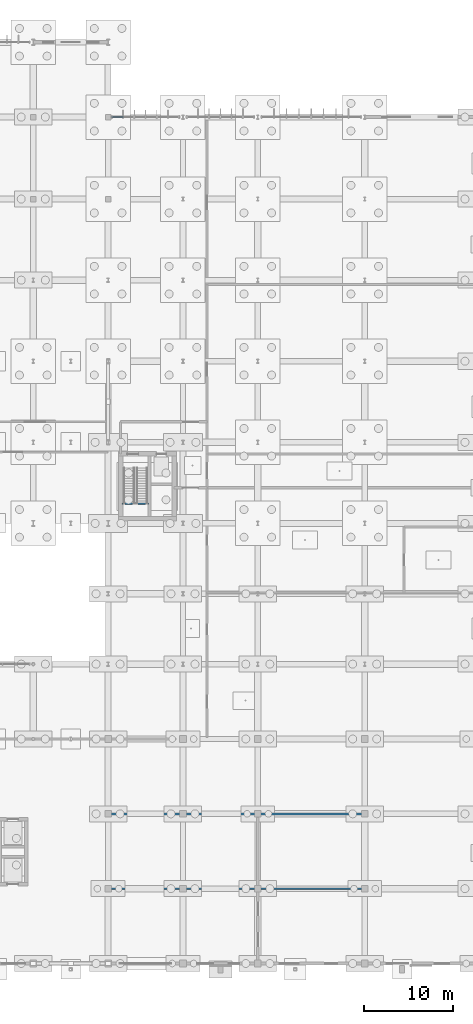
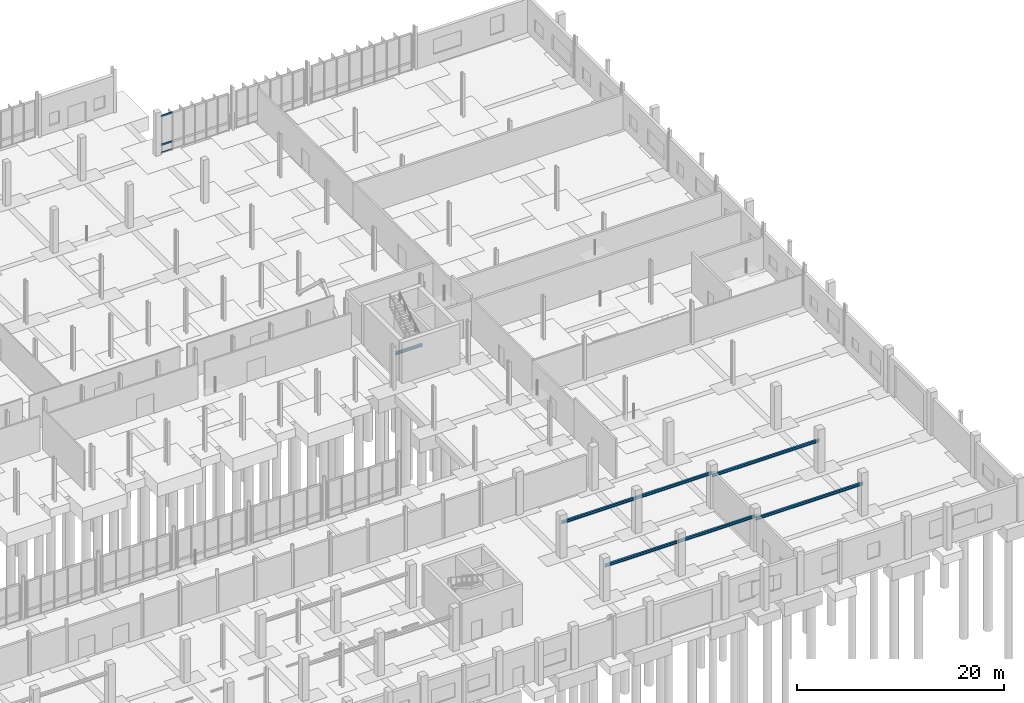
# One storey, part 61 of 119: 7 beams, 3 members, 1 element without a shape of its own.
"""IFC4 building model written with IfcOpenShell, lengths in metres."""

from ifc_helpers import new_model, si_unit, derived_unit, direction, frame, origin, origin_2d, place, context, subcontext, project, spatial, hollow_rectangle, i_section, extrude, material, layer, layer_set, material_profile, profile_set, type_object, element, aggregate, save


model = new_model("IFC4")

# Units and contexts
model_context = context("Model", 3, precision=1e-05, world=origin(), true_north=direction((0.0, 1.0)))
body_context = subcontext(model_context, "Body", "Model", "MODEL_VIEW")
ifc_project = project(units=[si_unit("LENGTHUNIT", "METRE"), si_unit("AREAUNIT", "SQUARE_METRE"), si_unit("VOLUMEUNIT", "CUBIC_METRE"), si_unit("PLANEANGLEUNIT", "RADIAN"), si_unit("MASSUNIT", "GRAM", prefix="KILO"), derived_unit("THERMALTRANSMITTANCEUNIT", [(si_unit("MASSUNIT", "GRAM", prefix="KILO"), 1), (si_unit("TIMEUNIT", "SECOND"), -3), (si_unit("THERMODYNAMICTEMPERATUREUNIT", "KELVIN"), -1)])], contexts=[model_context])

# Site, building, storey
site_placement = place(None, origin())
site = spatial("IfcSite", under=ifc_project, at=site_placement, CompositionType="ELEMENT")
building_placement = place(site_placement, origin())
building = spatial("IfcBuilding", under=site, at=building_placement, Name="Makaiwela Harbour Ferry Terminal", CompositionType="ELEMENT")
storey_placement = place(building_placement, origin())
storey = spatial("IfcBuildingStorey", under=building, at=storey_placement, Name="L00", CompositionType="ELEMENT", Elevation=0.0)

# Curtain wall, members
ifc_material_1 = material(Name="Marine anodised aluminium 6063-T6", Category="aluminium")
ifc_layer = layer(ifc_material_1, 0.199951171875)
ifc_layer_set = layer_set([ifc_layer], Name="Marine anodised aluminium 6063-T6")
curtain_wall_type = type_object("IfcCurtainWallType", Name="ENV-CW-10", PredefinedType="USERDEFINED", material=ifc_layer_set)
curtain_wall_placement = place(storey_placement, origin())
curtain_wall = element("IfcCurtainWall", 1, at=curtain_wall_placement, inside=storey, type_object=curtain_wall_type, Name="Unitised Curtain Wall CWA-120", ObjectType="UNITIZED CURTAIN WALL", PredefinedType="USERDEFINED")
ifc_material_profile_1 = material_profile(ifc_material_1, hollow_rectangle(XDim=0.0849609375, YDim=0.199951171875, WallThickness=0.0048828125, at=origin_2d()), Name="CWT-200X85")
ifc_profile_set_1 = profile_set([ifc_material_profile_1], Name="Marine anodised aluminium 6063-T6")
member_type = type_object("IfcMemberType", Name="CW-TRN-200", PredefinedType="USERDEFINED", material=ifc_profile_set_1)
member_1_placement = place(storey_placement, frame((139.02001953125, 95.0, 0.0), z_axis=(1.0, 0.0, 0.0), x_axis=(0.0, 1.0, 0.0)))
member_1 = element("IfcMember", 2, at=member_1_placement, type_object=member_type, Name="Curtain Wall Transom CWA-120-1-1", ObjectType="TRANSOM", PredefinedType="USERDEFINED", context=body_context, shape_type="SweptSolid", body=[
    extrude(hollow_rectangle(XDim=0.0849609375, YDim=0.199951171875, WallThickness=0.0048828125, at=origin_2d()), origin(), (0.0, 0.0, 1.0), 1.260009765625),
])
member_2_placement = place(storey_placement, frame((139.02001953125, 95.0, 0.949951171875), z_axis=(1.0, 0.0, 0.0), x_axis=(0.0, 1.0, 0.0)))
member_2 = element("IfcMember", 3, at=member_2_placement, type_object=member_type, Name="Curtain Wall Transom CWA-120-1-2", ObjectType="TRANSOM", PredefinedType="USERDEFINED", context=body_context, shape_type="SweptSolid", body=[
    extrude(hollow_rectangle(XDim=0.0849609375, YDim=0.199951171875, WallThickness=0.0048828125, at=origin_2d()), origin(), (0.0, 0.0, 1.0), 1.260009765625),
])
member_3_placement = place(storey_placement, frame((139.02001953125, 95.0, 4.35009765625), z_axis=(1.0, 0.0, 0.0), x_axis=(0.0, 1.0, 0.0)))
member_3 = element("IfcMember", 4, at=member_3_placement, type_object=member_type, Name="Curtain Wall Transom CWA-120-1-3", ObjectType="TRANSOM", PredefinedType="USERDEFINED", context=body_context, shape_type="SweptSolid", body=[
    extrude(hollow_rectangle(XDim=0.0849609375, YDim=0.199951171875, WallThickness=0.0048828125, at=origin_2d()), origin(), (0.0, 0.0, 1.0), 1.260009765625),
])
aggregate(curtain_wall, [member_1, member_2, member_3])

# Beams
ifc_material_2 = material(Name="Steel ASTM A992 Grade 50", Category="steel")
ifc_material_profile_2 = material_profile(ifc_material_2, i_section(OverallWidth=0.205078125, OverallDepth=0.31005859375, WebThickness=0.009521484375, FlangeThickness=0.016357421875, at=origin_2d()), Name="W12X50")
ifc_profile_set_2 = profile_set([ifc_material_profile_2], Name="Steel ASTM A992 Grade 50")
beam_type = type_object("IfcBeamType", Name="STR-LNT-W12X50", PredefinedType="LINTEL", material=ifc_profile_set_2)
for number, where, z_axis, x_axis, name in (
    (5, (138.60009765625, 8.39990234375, 3.949951171875), (1.0, 0.0, 0.0), (0.0, 1.0, 0.0), "Interior aisle lintel 11"),
    (6, (138.60009765625, 16.800048828125, 3.949951171875), (1.0, 0.0, 0.0), (0.0, 1.0, 0.0), "Interior aisle lintel 12"),
    (7, (147.0, 8.39990234375, 3.949951171875), (1.0, 0.0, 0.0), (0.0, 1.0, 0.0), "Interior aisle lintel 13"),
    (8, (147.0, 16.800048828125, 3.949951171875), (1.0, 0.0, 0.0), (0.0, 1.0, 0.0), "Interior aisle lintel 14"),
):
    element("IfcBeam", number, at=place(storey_placement, frame(where, z_axis=z_axis, x_axis=x_axis)), inside=storey, type_object=beam_type, Name=name, PredefinedType="LINTEL", context=body_context, shape_type="SweptSolid", body=[
        extrude(i_section(OverallWidth=0.205078125, OverallDepth=0.31005859375, WebThickness=0.009521484375, FlangeThickness=0.016357421875, at=origin_2d()), origin(), (0.0, 0.0, 1.0), 8.39990234375),
    ])
for number, where, z_axis, x_axis, name in (
    (9, (155.39990234375, 8.39990234375, 3.60009765625), (1.0, 0.0, 0.0), (0.0, 1.0, 0.0), "Interior aisle lintel 15"),
    (10, (155.39990234375, 16.800048828125, 3.60009765625), (1.0, 0.0, 0.0), (0.0, 1.0, 0.0), "Interior aisle lintel 16"),
):
    element("IfcBeam", number, at=place(storey_placement, frame(where, z_axis=z_axis, x_axis=x_axis)), inside=storey, type_object=beam_type, Name=name, PredefinedType="LINTEL", context=body_context, shape_type="SweptSolid", body=[
        extrude(i_section(OverallWidth=0.205078125, OverallDepth=0.31005859375, WebThickness=0.009521484375, FlangeThickness=0.016357421875, at=origin_2d()), origin(), (0.0, 0.0, 1.0), 12.0),
    ])
beam_placement = place(storey_placement, frame((140.175048828125, 51.610107421875, 2.2451171875), z_axis=(1.0, 0.0, 0.0), x_axis=(0.0, 1.0, 0.0)))
element("IfcBeam", 11, at=beam_placement, inside=storey, type_object=beam_type, Name="Stair Landing Beam ST-05-L00", PredefinedType="LINTEL", context=body_context, shape_type="SweptSolid", body=[
    extrude(i_section(OverallWidth=0.205078125, OverallDepth=0.31005859375, WebThickness=0.009521484375, FlangeThickness=0.016357421875, at=origin_2d()), origin(), (0.0, 0.0, 1.0), 2.97998046875),
])

save(model, "model.ifc")
